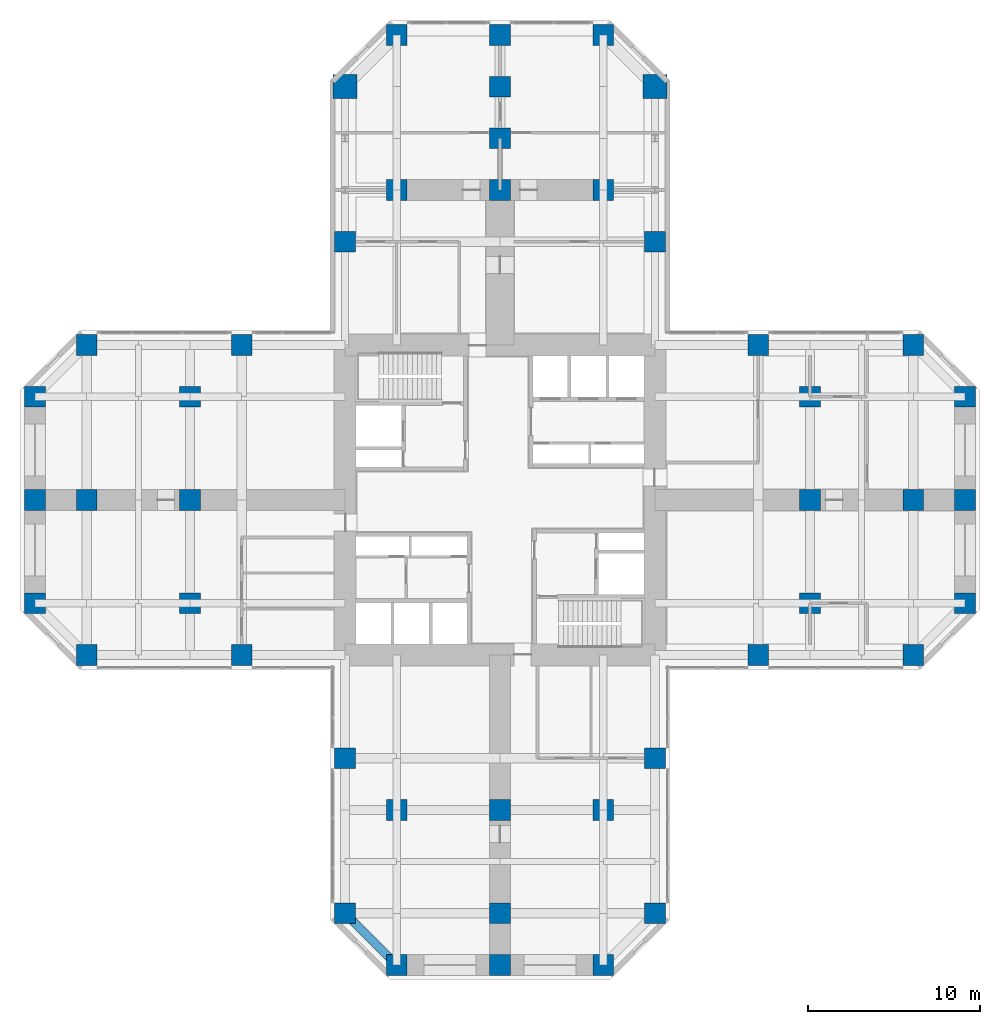
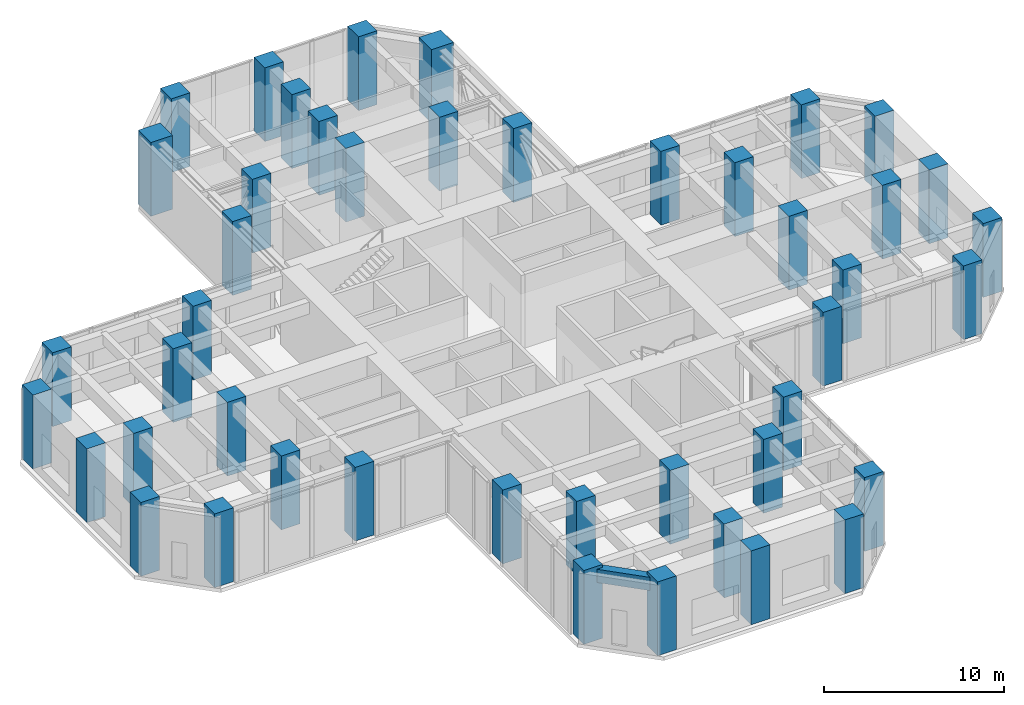
# One storey, part 1 of 11: 45 columns, 1 beam.
"""IFC4 building model written with IfcOpenShell, lengths in metres."""

from ifc_helpers import new_model, si_unit, direction, frame, origin, origin_2d, place, context, subcontext, project, spatial, rectangle, extrude, material, material_profile, profile_set, type_object, element, save


model = new_model("IFC4")

# Units and contexts
model_context = context("Model", 3, precision=1e-05, world=origin(), true_north=direction((0.0, 1.0)))
body_context = subcontext(model_context, "Body", "Model", "MODEL_VIEW")
ifc_project = project(units=[si_unit("LENGTHUNIT", "METRE"), si_unit("AREAUNIT", "SQUARE_METRE"), si_unit("VOLUMEUNIT", "CUBIC_METRE"), si_unit("PLANEANGLEUNIT", "RADIAN"), si_unit("MASSUNIT", "GRAM", prefix="KILO")], contexts=[model_context])

# Site, building, storey
site_placement = place(None, origin())
site = spatial("IfcSite", under=ifc_project, at=site_placement, CompositionType="ELEMENT")
building_placement = place(site_placement, origin())
building = spatial("IfcBuilding", under=site, at=building_placement, Name="Torre Cruceta", CompositionType="ELEMENT")
storey_placement = place(building_placement, frame((0.0, 0.0, 95.5)))
storey = spatial("IfcBuildingStorey", under=building, at=storey_placement, Name="L23", CompositionType="ELEMENT", Elevation=95.5)

# Columns
ifc_material_1 = material(Name="Concrete G60 (fck 60 MPa)", Category="concrete")
ifc_material_profile_1 = material_profile(ifc_material_1, rectangle(XDim=1.199951171875, YDim=1.199951171875, at=origin_2d()), Name="RC 1200X1200")
ifc_profile_set_1 = profile_set([ifc_material_profile_1], Name="Concrete G60 (fck 60 MPa)")
column_type_1 = type_object("IfcColumnType", Name="COLUMN RC 1200X1200", PredefinedType="COLUMN", material=ifc_profile_set_1)
for number, where, z_axis, x_axis, name in (
    (1, (9.0, 15.0, 0.0), (0.0, 0.0, 1.0), (1.0, 0.0, 0.0), "C3 L23 N side"),
    (2, (-9.0, 15.0, 0.0), (0.0, 0.0, 1.0), (1.0, 0.0, 0.0), "C3 L23 N side"),
    (3, (6.0, 27.0, 0.0), (0.0, 0.0, 1.0), (1.0, 0.0, 0.0), "C3 L23 N tip"),
    (4, (0.0, 27.0, 0.0), (0.0, 0.0, 1.0), (1.0, 0.0, 0.0), "C3 L23 N tip"),
    (5, (-6.0, 27.0, 0.0), (0.0, 0.0, 1.0), (1.0, 0.0, 0.0), "C3 L23 N tip"),
    (6, (15.0, -9.0, 0.0), (0.0, 0.0, 1.0), (1.0, 0.0, 0.0), "C3 L23 E side"),
    (7, (24.0, -9.0, 0.0), (0.0, 0.0, 1.0), (1.0, 0.0, 0.0), "C3 L23 E chamfer"),
    (8, (15.0, 9.0, 0.0), (0.0, 0.0, 1.0), (1.0, 0.0, 0.0), "C3 L23 E side"),
    (9, (24.0, 9.0, 0.0), (0.0, 0.0, 1.0), (1.0, 0.0, 0.0), "C3 L23 E chamfer"),
    (10, (27.0, -6.0, 0.0), (0.0, 0.0, 1.0), (1.0, 0.0, 0.0), "C3 L23 E tip"),
    (11, (27.0, 0.0, 0.0), (0.0, 0.0, 1.0), (1.0, 0.0, 0.0), "C3 L23 E tip"),
    (12, (27.0, 6.0, 0.0), (0.0, 0.0, 1.0), (1.0, 0.0, 0.0), "C3 L23 E tip"),
    (13, (-9.0, -15.0, 0.0), (0.0, 0.0, 1.0), (1.0, 0.0, 0.0), "C3 L23 S side"),
    (14, (-9.0, -24.0, 0.0), (0.0, 0.0, 1.0), (1.0, 0.0, 0.0), "C3 L23 S chamfer"),
    (15, (9.0, -15.0, 0.0), (0.0, 0.0, 1.0), (1.0, 0.0, 0.0), "C3 L23 S side"),
    (16, (9.0, -24.0, 0.0), (0.0, 0.0, 1.0), (1.0, 0.0, 0.0), "C3 L23 S chamfer"),
    (17, (-6.0, -27.0, 0.0), (0.0, 0.0, 1.0), (1.0, 0.0, 0.0), "C3 L23 S tip"),
    (18, (0.0, -27.0, 0.0), (0.0, 0.0, 1.0), (1.0, 0.0, 0.0), "C3 L23 S tip"),
    (19, (6.0, -27.0, 0.0), (0.0, 0.0, 1.0), (1.0, 0.0, 0.0), "C3 L23 S tip"),
    (20, (-15.0, 9.0, 0.0), (0.0, 0.0, 1.0), (1.0, 0.0, 0.0), "C3 L23 W side"),
    (21, (-24.0, 9.0, 0.0), (0.0, 0.0, 1.0), (1.0, 0.0, 0.0), "C3 L23 W chamfer"),
    (22, (-15.0, -9.0, 0.0), (0.0, 0.0, 1.0), (1.0, 0.0, 0.0), "C3 L23 W side"),
    (23, (-24.0, -9.0, 0.0), (0.0, 0.0, 1.0), (1.0, 0.0, 0.0), "C3 L23 W chamfer"),
    (24, (-27.0, 6.0, 0.0), (0.0, 0.0, 1.0), (1.0, 0.0, 0.0), "C3 L23 W tip"),
    (25, (-27.0, 0.0, 0.0), (0.0, 0.0, 1.0), (1.0, 0.0, 0.0), "C3 L23 W tip"),
    (26, (-27.0, -6.0, 0.0), (0.0, 0.0, 1.0), (1.0, 0.0, 0.0), "C3 L23 W tip"),
    (27, (6.0, 18.0, 0.0), (0.0, 0.0, 1.0), (1.0, 0.0, 0.0), "C3 L23 N interior"),
    (28, (0.0, 18.0, 0.0), (0.0, 0.0, 1.0), (1.0, 0.0, 0.0), "C3 L23 N interior"),
    (29, (-6.0, 18.0, 0.0), (0.0, 0.0, 1.0), (1.0, 0.0, 0.0), "C3 L23 N interior"),
    (30, (0.0, 21.0, 0.0), (0.0, 0.0, 1.0), (1.0, 0.0, 0.0), "C3 L23 N interior"),
    (31, (0.0, 24.0, 0.0), (0.0, 0.0, 1.0), (1.0, 0.0, 0.0), "C3 L23 N interior"),
    (32, (18.0, -6.0, 0.0), (0.0, 0.0, 1.0), (1.0, 0.0, 0.0), "C3 L23 E interior"),
    (33, (18.0, 0.0, 0.0), (0.0, 0.0, 1.0), (1.0, 0.0, 0.0), "C3 L23 E interior"),
    (34, (18.0, 6.0, 0.0), (0.0, 0.0, 1.0), (1.0, 0.0, 0.0), "C3 L23 E interior"),
    (35, (24.0, 0.0, 0.0), (0.0, 0.0, 1.0), (1.0, 0.0, 0.0), "C3 L23 E interior"),
    (36, (-6.0, -18.0, 0.0), (0.0, 0.0, 1.0), (1.0, 0.0, 0.0), "C3 L23 S interior"),
    (37, (0.0, -18.0, 0.0), (0.0, 0.0, 1.0), (1.0, 0.0, 0.0), "C3 L23 S interior"),
    (38, (6.0, -18.0, 0.0), (0.0, 0.0, 1.0), (1.0, 0.0, 0.0), "C3 L23 S interior"),
    (39, (0.0, -24.0, 0.0), (0.0, 0.0, 1.0), (1.0, 0.0, 0.0), "C3 L23 S interior"),
    (40, (-18.0, 6.0, 0.0), (0.0, 0.0, 1.0), (1.0, 0.0, 0.0), "C3 L23 W interior"),
    (41, (-18.0, 0.0, 0.0), (0.0, 0.0, 1.0), (1.0, 0.0, 0.0), "C3 L23 W interior"),
    (42, (-18.0, -6.0, 0.0), (0.0, 0.0, 1.0), (1.0, 0.0, 0.0), "C3 L23 W interior"),
    (43, (-24.0, 0.0, 0.0), (0.0, 0.0, 1.0), (1.0, 0.0, 0.0), "C3 L23 W interior"),
):
    element("IfcColumn", number, at=place(storey_placement, frame(where, z_axis=z_axis, x_axis=x_axis)), inside=storey, type_object=column_type_1, Name=name, PredefinedType="COLUMN", context=body_context, shape_type="SweptSolid", body=[
        extrude(rectangle(XDim=1.199951171875, YDim=1.199951171875, at=origin_2d()), origin(), (0.0, 0.0, 1.0), 5.0),
    ])
ifc_material_2 = material(Name="Concrete G60 (fck 60 MPa)", Category="concrete")
ifc_material_profile_2 = material_profile(ifc_material_2, rectangle(XDim=1.39990234375, YDim=1.39990234375, at=origin_2d()), Name="RC 1400X1400")
ifc_profile_set_2 = profile_set([ifc_material_profile_2], Name="Concrete G60 (fck 60 MPa)")
column_type_2 = type_object("IfcColumnType", Name="COLUMN RC 1400X1400", PredefinedType="COLUMN", material=ifc_profile_set_2)
for number, where, z_axis, x_axis, name in (
    (44, (9.0, 24.0, 0.0), (0.0, 0.0, 1.0), (1.0, 0.0, 0.0), "C1 L23 N chamfer"),
    (45, (-9.0, 24.0, 0.0), (0.0, 0.0, 1.0), (1.0, 0.0, 0.0), "C1 L23 N chamfer"),
):
    element("IfcColumn", number, at=place(storey_placement, frame(where, z_axis=z_axis, x_axis=x_axis)), inside=storey, type_object=column_type_2, Name=name, PredefinedType="COLUMN", context=body_context, shape_type="SweptSolid", body=[
        extrude(rectangle(XDim=1.39990234375, YDim=1.39990234375, at=origin_2d()), origin(), (0.0, 0.0, 1.0), 5.0),
    ])

# Beam
ifc_material_3 = material(Name="Concrete G60 (fck 60 MPa)", Category="concrete")
ifc_material_profile_3 = material_profile(ifc_material_3, rectangle(XDim=0.5, YDim=0.89990234375, at=origin_2d()), Name="RC 500X900")
ifc_profile_set_3 = profile_set([ifc_material_profile_3], Name="Concrete G60 (fck 60 MPa)")
beam_type = type_object("IfcBeamType", Name="SPANDREL BEAM RC 500X900", PredefinedType="SPANDREL", material=ifc_profile_set_3)
beam_placement = place(storey_placement, frame((-9.0, -24.0, 4.35009765625), z_axis=(0.707106781187, -0.707106781187, 0.0), x_axis=(0.707106781187, 0.707106781187, 0.0)))
element("IfcBeam", 46, at=beam_placement, inside=storey, type_object=beam_type, Name="SB4 L23 S side- 5", PredefinedType="SPANDREL", context=body_context, shape_type="SweptSolid", body=[
    extrude(rectangle(XDim=0.5, YDim=0.89990234375, at=origin_2d()), origin(), (0.0, 0.0, 1.0), 4.24267578125),
])

save(model, "model.ifc")
